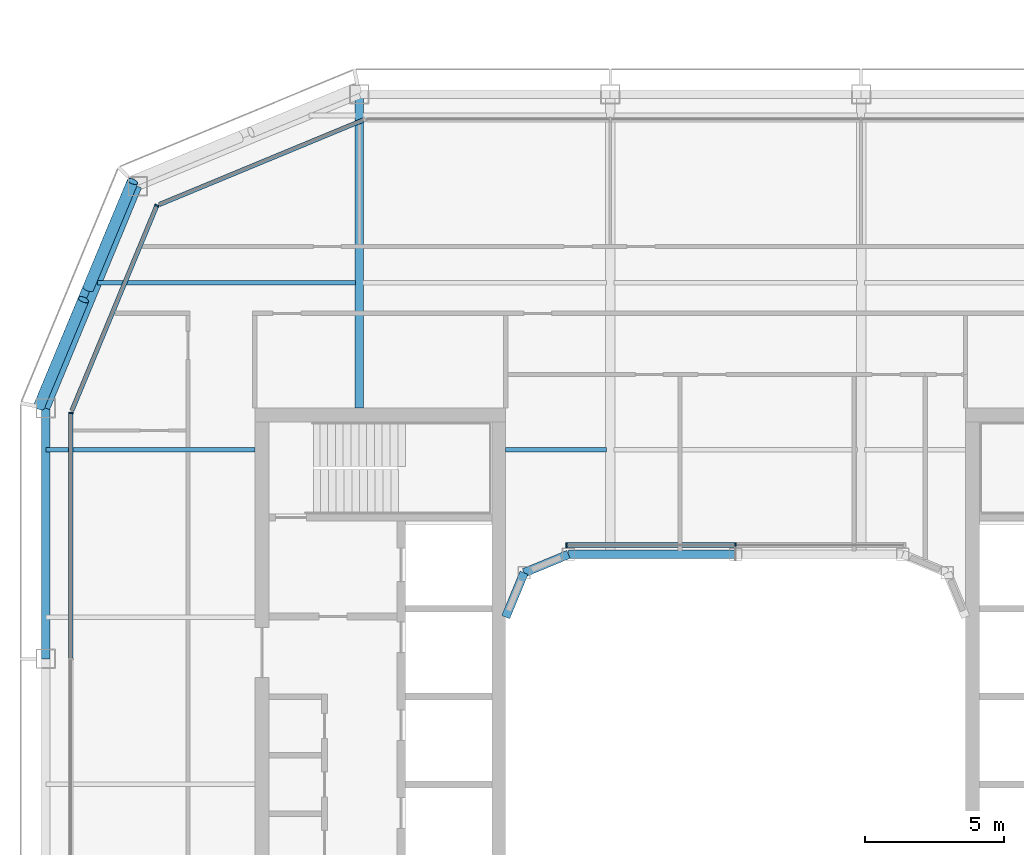
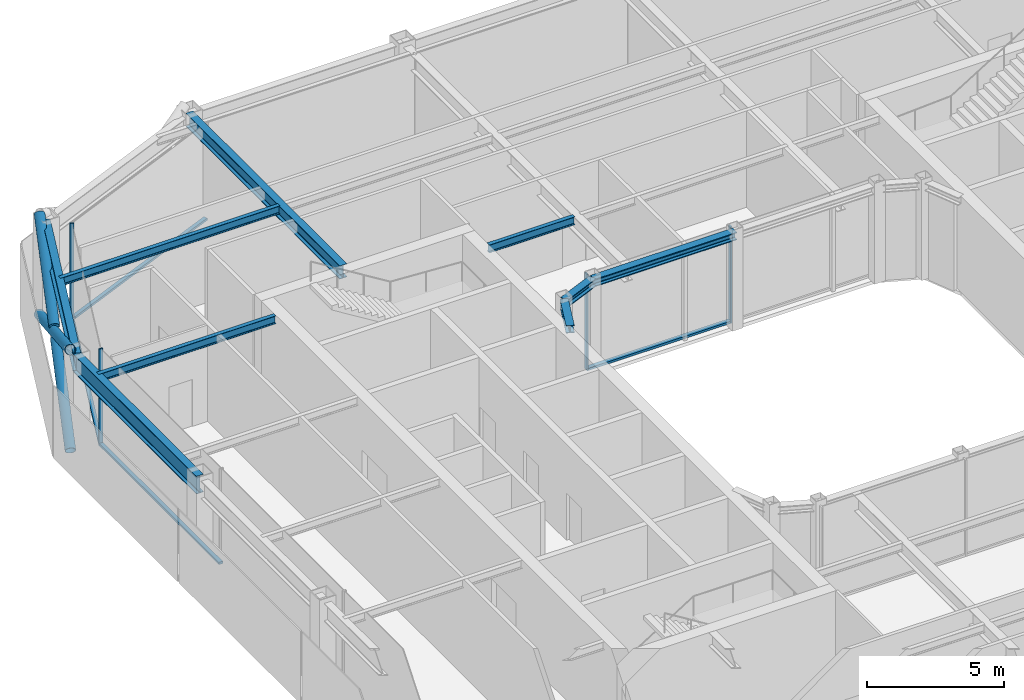
# One storey, part 7 of 21: 11 members, 9 beams, 4 elements without a shape of their own.
"""IFC4 building model written with IfcOpenShell, lengths in metres."""

from ifc_helpers import new_model, si_unit, direction, frame, origin, origin_2d, place, context, subcontext, project, spatial, rectangle, hollow_circle, i_section, extrude, material, layer, layer_set, material_profile, profile_set, type_object, element, aggregate, save


model = new_model("IFC4")

# Units and contexts
model_context = context("Model", 3, precision=1e-05, world=origin(), true_north=direction((0.0, 1.0)))
body_context = subcontext(model_context, "Body", "Model", "MODEL_VIEW")
ifc_project = project(units=[si_unit("LENGTHUNIT", "METRE"), si_unit("AREAUNIT", "SQUARE_METRE"), si_unit("VOLUMEUNIT", "CUBIC_METRE"), si_unit("PLANEANGLEUNIT", "RADIAN"), si_unit("MASSUNIT", "GRAM", prefix="KILO")], contexts=[model_context])

# Site, building, storey
site_placement = place(None, origin())
site = spatial("IfcSite", under=ifc_project, at=site_placement, CompositionType="ELEMENT")
building_placement = place(site_placement, origin())
building = spatial("IfcBuilding", under=site, at=building_placement, Name="Siwar Civic Tower", CompositionType="ELEMENT")
storey_placement = place(building_placement, frame((0.0, 0.0, 343.699951171875)))
storey = spatial("IfcBuildingStorey", under=building, at=storey_placement, Name="L74", CompositionType="ELEMENT", Elevation=343.699951171875)

# Curtain wall, member
ifc_material_1 = material(Name="Aluminium clad insulated panel", Category="aluminium")
ifc_layer_1 = layer(ifc_material_1, 0.159912109375)
ifc_layer_set_1 = layer_set([ifc_layer_1], Name="Aluminium clad insulated panel")
curtain_wall_type_1 = type_object("IfcCurtainWallType", Name="ENV-CW-DX", PredefinedType="NOTDEFINED", material=ifc_layer_set_1)
curtain_wall_1_placement = place(storey_placement, origin())
curtain_wall_1 = element("IfcCurtainWall", 1, at=curtain_wall_1_placement, inside=storey, type_object=curtain_wall_type_1, Name="Curtain wall D NW2", PredefinedType="NOTDEFINED")
ifc_material_2 = material(Name="Aluminium 6063-T6", Category="aluminium")
ifc_material_profile_1 = material_profile(ifc_material_2, rectangle(XDim=0.159912109375, YDim=0.06005859375, at=origin_2d()), Name="AL 160x60")
ifc_profile_set_1 = profile_set([ifc_material_profile_1], Name="Aluminium 6063-T6")
member_type_1 = type_object("IfcMemberType", Name="ENV-MULLION-D", PredefinedType="MULLION", material=ifc_profile_set_1)
member_1_placement = place(storey_placement, frame((-20.76611328125, 20.76611328125, 0.0), z_axis=(0.0, 0.0, 1.0), x_axis=(0.923879532511, -0.382683432365, 0.0)))
member_1 = element("IfcMember", 2, at=member_1_placement, type_object=member_type_1, Name="Mullion D NW2 1", PredefinedType="MULLION", context=body_context, shape_type="SweptSolid", body=[
    extrude(rectangle(XDim=0.159912109375, YDim=0.06005859375, at=origin_2d()), origin(), (0.0, 0.0, 1.0), 4.300048828125),
])

ifc_material_3 = material(Name="Aluminium and glass", Category="aluminium")
ifc_layer_2 = layer(ifc_material_3, 0.159912109375)
ifc_layer_set_2 = layer_set([ifc_layer_2], Name="Aluminium and glass")
curtain_wall_type_2 = type_object("IfcCurtainWallType", Name="ENV-CW-D", PredefinedType="NOTDEFINED", material=ifc_layer_set_2)
curtain_wall_2_placement = place(storey_placement, origin())
curtain_wall_2 = element("IfcCurtainWall", 3, at=curtain_wall_2_placement, inside=storey, type_object=curtain_wall_type_2, Name="Curtain wall D W", PredefinedType="NOTDEFINED")
member_2_placement = place(storey_placement, frame((-23.85009765625, 13.321044921875, 0.0), z_axis=(0.0, 0.0, 1.0), x_axis=(1.0, 0.0, 0.0)))
member_2 = element("IfcMember", 4, at=member_2_placement, type_object=member_type_1, Name="Mullion D W 1", PredefinedType="MULLION", context=body_context, shape_type="SweptSolid", body=[
    extrude(rectangle(XDim=0.159912109375, YDim=0.06005859375, at=origin_2d()), origin(), (0.0, 0.0, 1.0), 4.300048828125),
])

# Curtain wall, members
ifc_material_4 = material(Name="Aluminium and glass", Category="aluminium")
ifc_layer_3 = layer(ifc_material_4, 0.179931640625)
ifc_layer_set_3 = layer_set([ifc_layer_3], Name="Aluminium and glass")
curtain_wall_type_3 = type_object("IfcCurtainWallType", Name="ENV-CW-W", PredefinedType="NOTDEFINED", material=ifc_layer_set_3)
curtain_wall_3_placement = place(storey_placement, origin())
curtain_wall_3 = element("IfcCurtainWall", 5, at=curtain_wall_3_placement, inside=storey, type_object=curtain_wall_type_3, Name="Curtain wall W WN", PredefinedType="NOTDEFINED")
ifc_material_5 = material(Name="Aluminium 6063-T6", Category="aluminium")
ifc_material_profile_2 = material_profile(ifc_material_5, rectangle(XDim=0.179931640625, YDim=0.06005859375, at=origin_2d()), Name="AL 180x60")
ifc_profile_set_2 = profile_set([ifc_material_profile_2], Name="Aluminium 6063-T6")
member_type_2 = type_object("IfcMemberType", Name="ENV-MULLION-W", PredefinedType="MULLION", material=ifc_profile_set_2)
member_3_placement = place(storey_placement, frame((0.0, 8.5849609375, 0.0), z_axis=(0.0, 0.0, 1.0), x_axis=(0.0, -1.0, 0.0)))
member_3 = element("IfcMember", 6, at=member_3_placement, type_object=member_type_2, Name="Mullion W WN 2", PredefinedType="MULLION", context=body_context, shape_type="SweptSolid", body=[
    extrude(rectangle(XDim=0.179931640625, YDim=0.06005859375, at=origin_2d()), origin(), (0.0, 0.0, 1.0), 4.300048828125),
])
member_4_placement = place(storey_placement, frame((-6.066650390625, 8.5849609375, 0.0), z_axis=(0.0, 0.0, 1.0), x_axis=(0.0, -1.0, 0.0)))
member_4 = element("IfcMember", 7, at=member_4_placement, type_object=member_type_2, Name="Mullion W WN 3", PredefinedType="MULLION", context=body_context, shape_type="SweptSolid", body=[
    extrude(rectangle(XDim=0.179931640625, YDim=0.06005859375, at=origin_2d()), origin(), (0.0, 0.0, 1.0), 4.300048828125),
])

# Curtain wall, member
curtain_wall_4_placement = place(storey_placement, origin())
curtain_wall_4 = element("IfcCurtainWall", 8, at=curtain_wall_4_placement, inside=storey, type_object=curtain_wall_type_1, Name="Curtain wall D NW1", PredefinedType="NOTDEFINED")
ifc_material_6 = material(Name="Aluminium 6063-T6", Category="aluminium")
ifc_material_profile_3 = material_profile(ifc_material_6, rectangle(XDim=0.159912109375, YDim=0.10009765625, at=origin_2d()), Name="AL 160x100")
ifc_profile_set_3 = profile_set([ifc_material_profile_3], Name="Aluminium 6063-T6")
member_type_3 = type_object("IfcMemberType", Name="ENV-TRANSOM-D", PredefinedType="USERDEFINED", material=ifc_profile_set_3)
member_5_placement = place(storey_placement, frame((-13.3486328125, 23.838623046875, 0.050048828125), z_axis=(-0.923872756612, -0.382699790424, 0.0), x_axis=(0.382699790424, -0.923872756612, 0.0)))
member_5 = element("IfcMember", 9, at=member_5_placement, type_object=member_type_3, Name="Transom D NW1 1", ObjectType="TRANSOM", PredefinedType="USERDEFINED", context=body_context, shape_type="SweptSolid", body=[
    extrude(rectangle(XDim=0.159912109375, YDim=0.10009765625, at=origin_2d()), origin(), (0.0, 0.0, 1.0), 7.930908203125),
])
aggregate(curtain_wall_4, [member_5])

# Member
member_6_placement = place(storey_placement, frame((-20.777587890625, 20.738525390625, 0.050048828125), z_axis=(-0.382673515031, -0.923883640343, 0.0), x_axis=(0.923883640343, -0.382673515031, 0.0)))
member_6 = element("IfcMember", 10, at=member_6_placement, type_object=member_type_3, Name="Transom D NW2 1", ObjectType="TRANSOM", PredefinedType="USERDEFINED", context=body_context, shape_type="SweptSolid", body=[
    extrude(rectangle(XDim=0.159912109375, YDim=0.10009765625, at=origin_2d()), origin(), (0.0, 0.0, 1.0), 7.930908203125),
])

aggregate(curtain_wall_1, [member_1, member_6])

member_7_placement = place(storey_placement, frame((-23.85009765625, 13.291015625, 0.050048828125), z_axis=(0.0, -1.0, 0.0), x_axis=(1.0, 0.0, 0.0)))
member_7 = element("IfcMember", 11, at=member_7_placement, type_object=member_type_3, Name="Transom D W 1", ObjectType="TRANSOM", PredefinedType="USERDEFINED", context=body_context, shape_type="SweptSolid", body=[
    extrude(rectangle(XDim=0.159912109375, YDim=0.10009765625, at=origin_2d()), origin(), (0.0, 0.0, 1.0), 8.760986328125),
])

aggregate(curtain_wall_2, [member_2, member_7])

ifc_material_7 = material(Name="Aluminium 6063-T6", Category="aluminium")
ifc_material_profile_4 = material_profile(ifc_material_7, rectangle(XDim=0.179931640625, YDim=0.10009765625, at=origin_2d()), Name="AL 180x100")
ifc_profile_set_4 = profile_set([ifc_material_profile_4], Name="Aluminium 6063-T6")
member_type_4 = type_object("IfcMemberType", Name="ENV-TRANSOM-W", PredefinedType="USERDEFINED", material=ifc_profile_set_4)
member_8_placement = place(storey_placement, frame((-0.030029296875, 8.5849609375, 0.050048828125), z_axis=(-1.0, 0.0, 0.0), x_axis=(0.0, -1.0, 0.0)))
member_8 = element("IfcMember", 12, at=member_8_placement, type_object=member_type_4, Name="Transom W WN 2", ObjectType="TRANSOM", PredefinedType="USERDEFINED", context=body_context, shape_type="SweptSolid", body=[
    extrude(rectangle(XDim=0.179931640625, YDim=0.10009765625, at=origin_2d()), origin(), (0.0, 0.0, 1.0), 6.006591796875),
])

aggregate(curtain_wall_3, [member_3, member_4, member_8])

# Members
ifc_material_8 = material(Name="Steel S355", Category="steel")
ifc_material_profile_5 = material_profile(ifc_material_8, hollow_circle(Radius=0.203125, WallThickness=0.01611328125, at=origin_2d()), Name="CHS406.4x16")
ifc_profile_set_5 = profile_set([ifc_material_profile_5], Name="Steel S355")
member_type_5 = type_object("IfcMemberType", Name="STR-BR-CHS406.4x16", PredefinedType="BRACE", material=ifc_profile_set_5)
member_9_placement = place(storey_placement, frame((-21.6318359375, 21.6318359375, 0.0), z_axis=(-0.341671493852, -0.821142553604, 0.457149315816), x_axis=(0.923264922524, -0.384163874976, 0.0)))
element("IfcMember", 13, at=member_9_placement, inside=storey, type_object=member_type_5, Name="L74/brc/DNW1-13-0-1", PredefinedType="BRACE", context=body_context, shape_type="SweptSolid", body=[
    extrude(hollow_circle(Radius=0.203125, WallThickness=0.01611328125, at=origin_2d()), origin(), (0.0, 0.0, 1.0), 9.843505859375),
])
for number, where, z_axis, x_axis, name in (
    (14, (-24.9951171875, 13.548828125, 0.0), (0.341659024948, 0.821130093572, 0.45718101459), (-0.923267827529, 0.384156893273, 0.0), "L74/brc/DNW1-13-0-2"),
    (15, (-23.229736328125, 17.791259765625, 2.362060546875), (0.341652533125, 0.821166691915, 0.457120127208), (-0.923276488787, 0.38413607648, 0.0), "L74/brc/DNW1-13-0-3"),
):
    element("IfcMember", number, at=place(storey_placement, frame(where, z_axis=z_axis, x_axis=x_axis)), inside=storey, type_object=member_type_5, Name=name, PredefinedType="BRACE", context=body_context, shape_type="SweptSolid", body=[
        extrude(hollow_circle(Radius=0.203125, WallThickness=0.01611328125, at=origin_2d()), origin(), (0.0, 0.0, 1.0), 4.677001953125),
    ])

# Beams
ifc_material_9 = material(Name="Steel S355", Category="steel")
ifc_material_profile_6 = material_profile(ifc_material_9, i_section(OverallWidth=0.169921875, OverallDepth=0.360107421875, WebThickness=0.008056640625, FlangeThickness=0.0126953125, FilletRadius=0.01806640625, at=origin_2d()), Name="IPE360")
ifc_profile_set_6 = profile_set([ifc_material_profile_6], Name="Steel S355")
beam_type_1 = type_object("IfcBeamType", Name="STR-FB-IPE360", PredefinedType="JOIST", material=ifc_profile_set_6)
beam_1_placement = place(storey_placement, frame((-24.75, 12.0, 4.1201171875), z_axis=(1.0, 0.0, 0.0), x_axis=(0.0, 1.0, 0.0)))
element("IfcBeam", 16, at=beam_1_placement, inside=storey, type_object=beam_type_1, Name="L74/bm/F022", PredefinedType="JOIST", context=body_context, shape_type="SweptSolid", body=[
    extrude(i_section(OverallWidth=0.169921875, OverallDepth=0.360107421875, WebThickness=0.008056640625, FlangeThickness=0.0126953125, FilletRadius=0.01806640625, at=origin_2d()), origin(), (0.0, 0.0, 1.0), 7.5),
])
beam_2_placement = place(storey_placement, frame((-8.25, 12.0, 4.1201171875), z_axis=(1.0, 0.0, 0.0), x_axis=(0.0, 1.0, 0.0)))
element("IfcBeam", 17, at=beam_2_placement, inside=storey, type_object=beam_type_1, Name="L74/bm/F023", PredefinedType="JOIST", context=body_context, shape_type="SweptSolid", body=[
    extrude(i_section(OverallWidth=0.169921875, OverallDepth=0.360107421875, WebThickness=0.008056640625, FlangeThickness=0.0126953125, FilletRadius=0.01806640625, at=origin_2d()), origin(), (0.0, 0.0, 1.0), 3.6201171875),
])
beam_3_placement = place(storey_placement, frame((-22.885986328125, 18.0, 4.1201171875), z_axis=(1.0, 0.0, 0.0), x_axis=(0.0, 1.0, 0.0)))
element("IfcBeam", 18, at=beam_3_placement, inside=storey, type_object=beam_type_1, Name="L74/bm/F027", PredefinedType="JOIST", context=body_context, shape_type="SweptSolid", body=[
    extrude(i_section(OverallWidth=0.169921875, OverallDepth=0.360107421875, WebThickness=0.008056640625, FlangeThickness=0.0126953125, FilletRadius=0.01806640625, at=origin_2d()), origin(), (0.0, 0.0, 1.0), 9.256103515625),
])
ifc_material_10 = material(Name="Steel S355", Category="steel")
ifc_material_profile_7 = material_profile(ifc_material_10, i_section(OverallWidth=0.300048828125, OverallDepth=0.60009765625, WebThickness=0.015380859375, FlangeThickness=0.030029296875, FilletRadius=0.027099609375, at=origin_2d()), Name="HEB600")
ifc_profile_set_7 = profile_set([ifc_material_profile_7], Name="Steel S355")
beam_type_2 = type_object("IfcBeamType", Name="STR-PG-HEB600", PredefinedType="BEAM", material=ifc_profile_set_7)
beam_4_placement = place(storey_placement, frame((-13.5, 13.5, 4.0), z_axis=(0.0, 1.0, 0.0), x_axis=(-1.0, 0.0, 0.0)))
element("IfcBeam", 19, at=beam_4_placement, inside=storey, type_object=beam_type_2, Name="L74/bm/G02", PredefinedType="BEAM", context=body_context, shape_type="SweptSolid", body=[
    extrude(i_section(OverallWidth=0.300048828125, OverallDepth=0.60009765625, WebThickness=0.015380859375, FlangeThickness=0.030029296875, FilletRadius=0.027099609375, at=origin_2d()), origin(), (0.0, 0.0, 1.0), 11.25),
])
ifc_material_11 = material(Name="Steel S355", Category="steel")
ifc_material_profile_8 = material_profile(ifc_material_11, i_section(OverallWidth=0.31005859375, OverallDepth=0.340087890625, WebThickness=0.02099609375, FlangeThickness=0.0390625, FilletRadius=0.027099609375, at=origin_2d()), Name="HEM300")
ifc_profile_set_8 = profile_set([ifc_material_profile_8], Name="Steel S355")
beam_type_3 = type_object("IfcBeamType", Name="STR-RB-HEM300", PredefinedType="BEAM", material=ifc_profile_set_8)
beam_5_placement = place(storey_placement, frame((-7.591064453125, 7.591064453125, 4.130126953125), z_axis=(0.923901072997, 0.382631424892, 0.0), x_axis=(-0.382631424892, 0.923901072997, 0.0)))
element("IfcBeam", 20, at=beam_5_placement, inside=storey, type_object=beam_type_3, Name="L74/bm/RN0", PredefinedType="BEAM", context=body_context, shape_type="SweptSolid", body=[
    extrude(i_section(OverallWidth=0.31005859375, OverallDepth=0.340087890625, WebThickness=0.02099609375, FlangeThickness=0.0390625, FilletRadius=0.027099609375, at=origin_2d()), origin(), (0.0, 0.0, 1.0), 1.72216796875),
])
beam_6_placement = place(storey_placement, frame((-6.0, 8.25, 4.130126953125), z_axis=(1.0, 0.0, 0.0), x_axis=(0.0, 1.0, 0.0)))
element("IfcBeam", 21, at=beam_6_placement, inside=storey, type_object=beam_type_3, Name="L74/bm/RN1", PredefinedType="BEAM", context=body_context, shape_type="SweptSolid", body=[
    extrude(i_section(OverallWidth=0.31005859375, OverallDepth=0.340087890625, WebThickness=0.02099609375, FlangeThickness=0.0390625, FilletRadius=0.027099609375, at=origin_2d()), origin(), (0.0, 0.0, 1.0), 6.0),
])
beam_7_placement = place(storey_placement, frame((-7.591064453125, 7.591064453125, 4.130126953125), z_axis=(-0.382631424892, -0.923901072997, 0.0), x_axis=(0.923901072997, -0.382631424892, 0.0)))
element("IfcBeam", 22, at=beam_7_placement, inside=storey, type_object=beam_type_3, Name="L74/bm/RNEW", PredefinedType="BEAM", context=body_context, shape_type="SweptSolid", body=[
    extrude(i_section(OverallWidth=0.31005859375, OverallDepth=0.340087890625, WebThickness=0.02099609375, FlangeThickness=0.0390625, FilletRadius=0.027099609375, at=origin_2d()), origin(), (0.0, 0.0, 1.0), 1.72216796875),
])
ifc_material_12 = material(Name="Steel S355", Category="steel")
ifc_material_profile_9 = material_profile(ifc_material_12, i_section(OverallWidth=0.300048828125, OverallDepth=0.800048828125, WebThickness=0.017578125, FlangeThickness=0.032958984375, FilletRadius=0.030029296875, at=origin_2d()), Name="HEB800")
ifc_profile_set_9 = profile_set([ifc_material_profile_9], Name="Steel S355")
beam_type_4 = type_object("IfcBeamType", Name="STR-SB-HEB800", PredefinedType="BEAM", material=ifc_profile_set_9)
beam_8_placement = place(storey_placement, frame((-21.454833984375, 21.454833984375, 3.900146484375), z_axis=(-0.382699877515, -0.923872720536, 0.0), x_axis=(0.923872720536, -0.382699877515, 0.0)))
element("IfcBeam", 23, at=beam_8_placement, inside=storey, type_object=beam_type_4, Name="L74/bm/SNW2-0", PredefinedType="BEAM", context=body_context, shape_type="SweptSolid", body=[
    extrude(i_section(OverallWidth=0.300048828125, OverallDepth=0.800048828125, WebThickness=0.017578125, FlangeThickness=0.032958984375, FilletRadius=0.030029296875, at=origin_2d()), origin(), (0.0, 0.0, 1.0), 8.6103515625),
])
beam_9_placement = place(storey_placement, frame((-24.75, 13.5, 3.900146484375), z_axis=(0.0, -1.0, 0.0), x_axis=(1.0, 0.0, 0.0)))
element("IfcBeam", 24, at=beam_9_placement, inside=storey, type_object=beam_type_4, Name="L74/bm/SW-0", PredefinedType="BEAM", context=body_context, shape_type="SweptSolid", body=[
    extrude(i_section(OverallWidth=0.300048828125, OverallDepth=0.800048828125, WebThickness=0.017578125, FlangeThickness=0.032958984375, FilletRadius=0.030029296875, at=origin_2d()), origin(), (0.0, 0.0, 1.0), 9.0),
])

save(model, "model.ifc")
